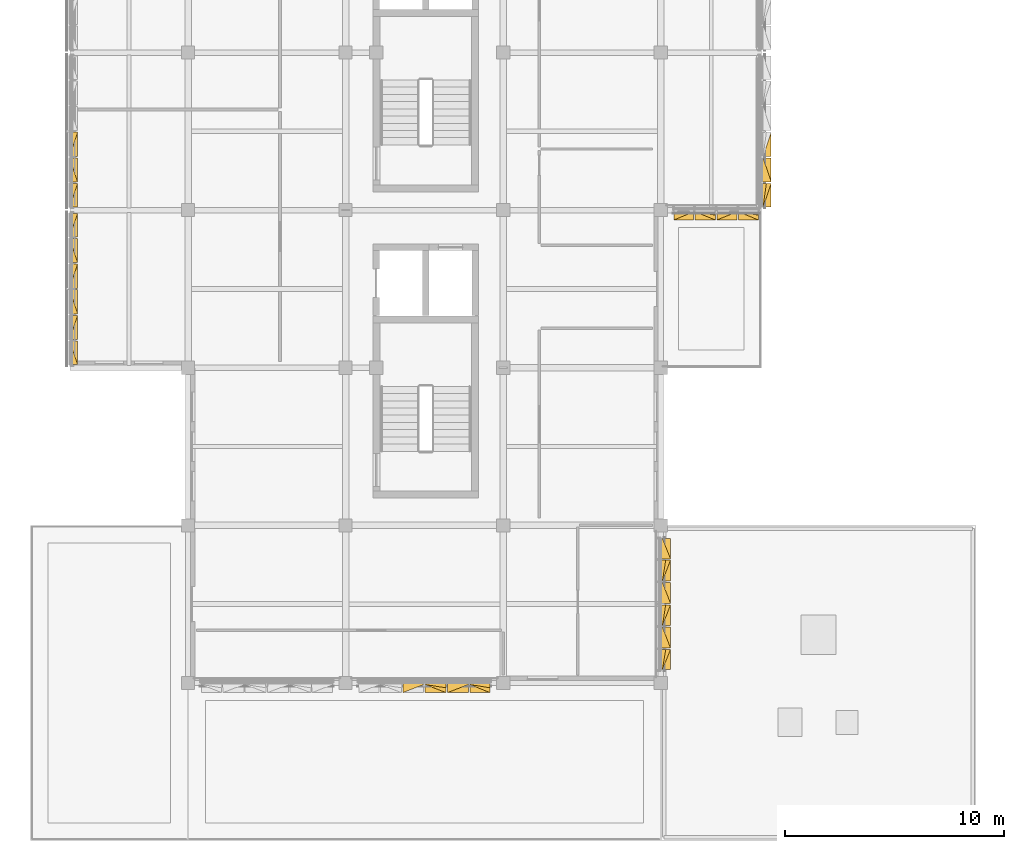
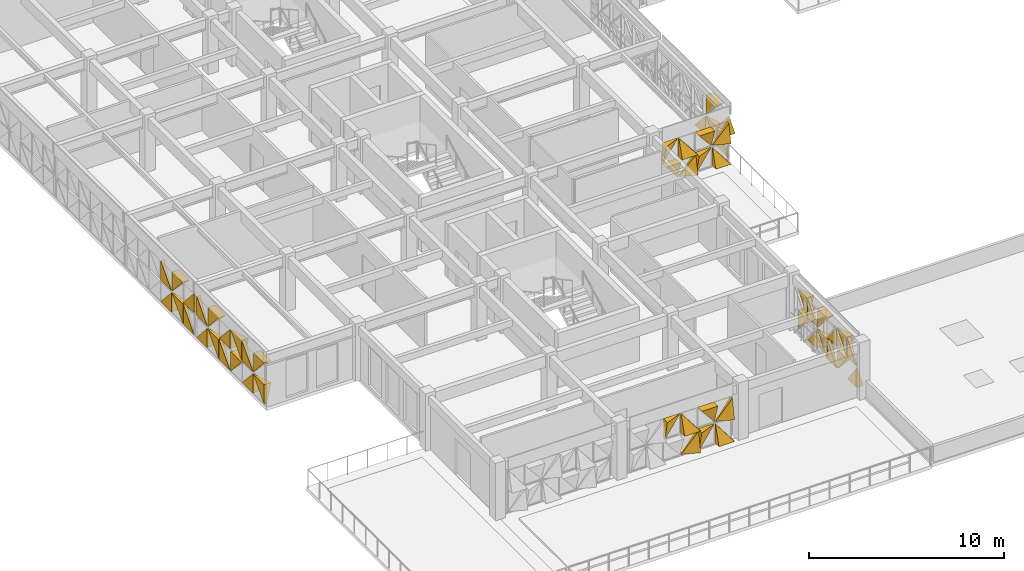
# One storey, part 65 of 74: 50 coverings.
"""IFC4 building model written with IfcOpenShell, lengths in metres."""

from ifc_helpers import new_model, si_unit, direction, frame, origin, place, context, subcontext, project, spatial, polygons, material, layer, layer_set, type_object, element, save


model = new_model("IFC4")

# Units and contexts
model_context = context("Model", 3, precision=1e-05, world=origin(), true_north=direction((0.0, 1.0)))
body_context = subcontext(model_context, "Body", "Model", "MODEL_VIEW")
ifc_project = project(units=[si_unit("LENGTHUNIT", "METRE"), si_unit("AREAUNIT", "SQUARE_METRE"), si_unit("VOLUMEUNIT", "CUBIC_METRE"), si_unit("PLANEANGLEUNIT", "RADIAN"), si_unit("MASSUNIT", "GRAM", prefix="KILO")], contexts=[model_context])

# Site, building, storey
site_placement = place(None, origin())
site = spatial("IfcSite", under=ifc_project, at=site_placement, CompositionType="ELEMENT")
building_placement = place(site_placement, origin())
building = spatial("IfcBuilding", under=site, at=building_placement, Name="Alvorim Cloister Faculty of Sciences", CompositionType="ELEMENT")
storey_placement = place(building_placement, frame((0.0, 0.0, 15.75)))
storey = spatial("IfcBuildingStorey", under=building, at=storey_placement, Name="L04", CompositionType="ELEMENT", Elevation=15.75)

# Coverings
ifc_material = material(Name="Perforated Bronze Alloy Sheet", Category="metal")
ifc_layer = layer(ifc_material, 0.0380859375)
ifc_layer_set = layer_set([ifc_layer], Name="Perforated Bronze Alloy Sheet")
covering_type = type_object("IfcCoveringType", Name="COV-TRI-BRZ", PredefinedType="CLADDING", material=ifc_layer_set)
covering_1_placement = place(storey_placement, frame((1.7548828125, 21.7451171875, 0.139892578125), z_axis=(0.0, 0.0, 1.0), x_axis=(0.0, 1.0, 0.0)))
element("IfcCovering", 1, at=covering_1_placement, inside=storey, type_object=covering_type, Name="Diagonal Solid Metal Triangle TRI-TL", PredefinedType="CLADDING", context=body_context, shape_type="Tessellation", body=[
    polygons([(1.073927734375, 0.0260009765625, 1.218505859375), (0.0, 0.0260009765625, 1.218505859375), (0.0, 0.0260009765625, 0.002), (1.073927734375, -0.03, 1.218505859375), (0.0, -0.4, 1.218505859375), (0.0, -0.13999999999999999, 0.002)], [[[1, 3, 2]], [[4, 5, 6]], [[1, 2, 5, 4]], [[2, 3, 6, 5]], [[3, 1, 4, 6]]], closed=True),
])
covering_2_placement = place(storey_placement, frame((1.7548828125, 21.7451171875, 1.49853515625), z_axis=(0.0, 0.0, 1.0), x_axis=(0.0, 1.0, 0.0)))
element("IfcCovering", 2, at=covering_2_placement, inside=storey, type_object=covering_type, Name="Diagonal Solid Metal Triangle TRI-TR", PredefinedType="CLADDING", context=body_context, shape_type="Tessellation", body=[
    polygons([(1.075927734375, 0.0260009765625, 0.002), (1.075927734375, 0.0260009765625, 1.218505859375), (0.002, 0.0260009765625, 1.218505859375), (1.075927734375, -0.03, 0.002), (1.075927734375, -0.4, 1.218505859375), (0.002, -0.4, 1.218505859375)], [[[1, 3, 2]], [[4, 5, 6]], [[1, 2, 5, 4]], [[2, 3, 6, 5]], [[3, 1, 4, 6]]], closed=True),
])
covering_3_placement = place(storey_placement, frame((1.7548828125, 22.8857421875, 0.139892578125), z_axis=(0.0, 0.0, 1.0), x_axis=(0.0, 1.0, 0.0)))
element("IfcCovering", 3, at=covering_3_placement, inside=storey, type_object=covering_type, Name="Diagonal Solid Metal Triangle TRI-BL", PredefinedType="CLADDING", context=body_context, shape_type="Tessellation", body=[
    polygons([(0.0, 0.0260009765625, 0.0), (1.1063984375, 0.0260009765625, 0.0), (0.0, 0.0260009765625, 1.216505859375), (0.0, -0.4, 0.0), (1.1063984375, -0.4, 0.0), (0.0, -0.03, 1.216505859375)], [[[1, 3, 2]], [[4, 5, 6]], [[1, 2, 5, 4]], [[2, 3, 6, 5]], [[3, 1, 4, 6]]], closed=True),
])
covering_4_placement = place(storey_placement, frame((1.7548828125, 22.8857421875, 1.49853515625), z_axis=(0.0, 0.0, 1.0), x_axis=(0.0, 1.0, 0.0)))
element("IfcCovering", 4, at=covering_4_placement, inside=storey, type_object=covering_type, Name="Diagonal Solid Metal Triangle TRI-BR", PredefinedType="CLADDING", context=body_context, shape_type="Tessellation", body=[
    polygons([(0.002, 0.0260009765625, 0.0), (1.1083984375, 0.0260009765625, 0.0), (1.1083984375, 0.0260009765625, 1.216505859375), (0.002, -0.03, 0.0), (1.1083984375, -0.4, 0.0), (1.1083984375, -0.18000000000000002, 1.216505859375)], [[[1, 3, 2]], [[4, 5, 6]], [[1, 2, 5, 4]], [[2, 3, 6, 5]], [[3, 1, 4, 6]]], closed=True),
])
covering_5_placement = place(storey_placement, frame((1.7548828125, 24.05908203125, 0.139892578125), z_axis=(0.0, 0.0, 1.0), x_axis=(0.0, 1.0, 0.0)))
element("IfcCovering", 5, at=covering_5_placement, inside=storey, type_object=covering_type, Name="Diagonal Solid Metal Triangle TRI-TR", PredefinedType="CLADDING", context=body_context, shape_type="Tessellation", body=[
    polygons([(1.1083984375, 0.0260009765625, 0.002), (1.1083984375, 0.0260009765625, 1.218505859375), (0.002, 0.0260009765625, 1.218505859375), (1.1083984375, -0.03, 0.002), (1.1083984375, -0.4, 1.218505859375), (0.002, -0.4, 1.218505859375)], [[[1, 3, 2]], [[4, 5, 6]], [[1, 2, 5, 4]], [[2, 3, 6, 5]], [[3, 1, 4, 6]]], closed=True),
])
covering_6_placement = place(storey_placement, frame((1.7548828125, 24.05908203125, 1.49853515625), z_axis=(0.0, 0.0, 1.0), x_axis=(0.0, 1.0, 0.0)))
element("IfcCovering", 6, at=covering_6_placement, inside=storey, type_object=covering_type, Name="Diagonal Solid Metal Triangle TRI-TL", PredefinedType="CLADDING", context=body_context, shape_type="Tessellation", body=[
    polygons([(1.1063984375, 0.0260009765625, 1.218505859375), (0.0, 0.0260009765625, 1.218505859375), (0.0, 0.0260009765625, 0.002), (1.1063984375, -0.03, 1.218505859375), (0.0, -0.4, 1.218505859375), (0.0, -0.13999999999999999, 0.002)], [[[1, 3, 2]], [[4, 5, 6]], [[1, 2, 5, 4]], [[2, 3, 6, 5]], [[3, 1, 4, 6]]], closed=True),
])
covering_7_placement = place(storey_placement, frame((1.7548828125, 25.232421875, 0.139892578125), z_axis=(0.0, 0.0, 1.0), x_axis=(0.0, 1.0, 0.0)))
element("IfcCovering", 7, at=covering_7_placement, inside=storey, type_object=covering_type, Name="Diagonal Solid Metal Triangle TRI-BR", PredefinedType="CLADDING", context=body_context, shape_type="Tessellation", body=[
    polygons([(0.002, 0.0260009765625, 0.0), (1.1083984375, 0.0260009765625, 0.0), (1.1083984375, 0.0260009765625, 1.216505859375), (0.002, -0.03, 0.0), (1.1083984375, -0.4, 0.0), (1.1083984375, -0.18000000000000002, 1.216505859375)], [[[1, 3, 2]], [[4, 5, 6]], [[1, 2, 5, 4]], [[2, 3, 6, 5]], [[3, 1, 4, 6]]], closed=True),
])
covering_8_placement = place(storey_placement, frame((1.7548828125, 25.232421875, 1.49853515625), z_axis=(0.0, 0.0, 1.0), x_axis=(0.0, 1.0, 0.0)))
element("IfcCovering", 8, at=covering_8_placement, inside=storey, type_object=covering_type, Name="Diagonal Solid Metal Triangle TRI-BL", PredefinedType="CLADDING", context=body_context, shape_type="Tessellation", body=[
    polygons([(0.0, 0.0260009765625, 0.0), (1.1063984375, 0.0260009765625, 0.0), (0.0, 0.0260009765625, 1.216505859375), (0.0, -0.4, 0.0), (1.1063984375, -0.4, 0.0), (0.0, -0.03, 1.216505859375)], [[[1, 3, 2]], [[4, 5, 6]], [[1, 2, 5, 4]], [[2, 3, 6, 5]], [[3, 1, 4, 6]]], closed=True),
])
covering_9_placement = place(storey_placement, frame((1.7548828125, 26.40576171875, 0.139892578125), z_axis=(0.0, 0.0, 1.0), x_axis=(0.0, 1.0, 0.0)))
element("IfcCovering", 9, at=covering_9_placement, inside=storey, type_object=covering_type, Name="Diagonal Solid Metal Triangle TRI-TL", PredefinedType="CLADDING", context=body_context, shape_type="Tessellation", body=[
    polygons([(1.1063984375, 0.0260009765625, 1.218505859375), (0.0, 0.0260009765625, 1.218505859375), (0.0, 0.0260009765625, 0.002), (1.1063984375, -0.03, 1.218505859375), (0.0, -0.4, 1.218505859375), (0.0, -0.13999999999999999, 0.002)], [[[1, 3, 2]], [[4, 5, 6]], [[1, 2, 5, 4]], [[2, 3, 6, 5]], [[3, 1, 4, 6]]], closed=True),
])
covering_10_placement = place(storey_placement, frame((1.7548828125, 26.40576171875, 1.49853515625), z_axis=(0.0, 0.0, 1.0), x_axis=(0.0, 1.0, 0.0)))
element("IfcCovering", 10, at=covering_10_placement, inside=storey, type_object=covering_type, Name="Diagonal Solid Metal Triangle TRI-TR", PredefinedType="CLADDING", context=body_context, shape_type="Tessellation", body=[
    polygons([(1.1083984375, 0.0260009765625, 0.002), (1.1083984375, 0.0260009765625, 1.218505859375), (0.002, 0.0260009765625, 1.218505859375), (1.1083984375, -0.03, 0.002), (1.1083984375, -0.4, 1.218505859375), (0.002, -0.4, 1.218505859375)], [[[1, 3, 2]], [[4, 5, 6]], [[1, 2, 5, 4]], [[2, 3, 6, 5]], [[3, 1, 4, 6]]], closed=True),
])
covering_11_placement = place(storey_placement, frame((1.7548828125, 27.5791015625, 0.139892578125), z_axis=(0.0, 0.0, 1.0), x_axis=(0.0, 1.0, 0.0)))
element("IfcCovering", 11, at=covering_11_placement, inside=storey, type_object=covering_type, Name="Diagonal Solid Metal Triangle TRI-BL", PredefinedType="CLADDING", context=body_context, shape_type="Tessellation", body=[
    polygons([(0.0, 0.0260009765625, 0.0), (1.073927734375, 0.0260009765625, 0.0), (0.0, 0.0260009765625, 1.216505859375), (0.0, -0.4, 0.0), (1.073927734375, -0.4, 0.0), (0.0, -0.03, 1.216505859375)], [[[1, 3, 2]], [[4, 5, 6]], [[1, 2, 5, 4]], [[2, 3, 6, 5]], [[3, 1, 4, 6]]], closed=True),
])
for number, where, z_axis, x_axis, name in (
    (12, (1.7548828125, 27.5791015625, 1.49853515625), (0.0, 0.0, 1.0), (0.0, 1.0, 0.0), "Diagonal Solid Metal Triangle TRI-BR"),
    (13, (1.7548828125, 28.945068359375, 0.139892578125), (0.0, 0.0, 1.0), (0.0, 1.0, 0.0), "Diagonal Solid Metal Triangle TRI-BR"),
):
    element("IfcCovering", number, at=place(storey_placement, frame(where, z_axis=z_axis, x_axis=x_axis)), inside=storey, type_object=covering_type, Name=name, PredefinedType="CLADDING", context=body_context, shape_type="Tessellation", body=[
        polygons([(0.002, 0.0260009765625, 0.0), (1.075927734375, 0.0260009765625, 0.0), (1.075927734375, 0.0260009765625, 1.216505859375), (0.002, -0.03, 0.0), (1.075927734375, -0.4, 0.0), (1.075927734375, -0.18000000000000002, 1.216505859375)], [[[1, 3, 2]], [[4, 5, 6]], [[1, 2, 5, 4]], [[2, 3, 6, 5]], [[3, 1, 4, 6]]], closed=True),
    ])
covering_12_placement = place(storey_placement, frame((1.7548828125, 28.945068359375, 1.49853515625), z_axis=(0.0, 0.0, 1.0), x_axis=(0.0, 1.0, 0.0)))
element("IfcCovering", 14, at=covering_12_placement, inside=storey, type_object=covering_type, Name="Diagonal Solid Metal Triangle TRI-BL", PredefinedType="CLADDING", context=body_context, shape_type="Tessellation", body=[
    polygons([(0.0, 0.0260009765625, 0.0), (1.073927734375, 0.0260009765625, 0.0), (0.0, 0.0260009765625, 1.216505859375), (0.0, -0.4, 0.0), (1.073927734375, -0.4, 0.0), (0.0, -0.03, 1.216505859375)], [[[1, 3, 2]], [[4, 5, 6]], [[1, 2, 5, 4]], [[2, 3, 6, 5]], [[3, 1, 4, 6]]], closed=True),
])
covering_13_placement = place(storey_placement, frame((1.7548828125, 30.0859375, 0.139892578125), z_axis=(0.0, 0.0, 1.0), x_axis=(0.0, 1.0, 0.0)))
element("IfcCovering", 15, at=covering_13_placement, inside=storey, type_object=covering_type, Name="Diagonal Solid Metal Triangle TRI-TL", PredefinedType="CLADDING", context=body_context, shape_type="Tessellation", body=[
    polygons([(1.1063984375, 0.0260009765625, 1.218505859375), (0.0, 0.0260009765625, 1.218505859375), (0.0, 0.0260009765625, 0.002), (1.1063984375, -0.03, 1.218505859375), (0.0, -0.4, 1.218505859375), (0.0, -0.13999999999999999, 0.002)], [[[1, 3, 2]], [[4, 5, 6]], [[1, 2, 5, 4]], [[2, 3, 6, 5]], [[3, 1, 4, 6]]], closed=True),
])
covering_14_placement = place(storey_placement, frame((1.7548828125, 30.0859375, 1.49853515625), z_axis=(0.0, 0.0, 1.0), x_axis=(0.0, 1.0, 0.0)))
element("IfcCovering", 16, at=covering_14_placement, inside=storey, type_object=covering_type, Name="Diagonal Solid Metal Triangle TRI-TR", PredefinedType="CLADDING", context=body_context, shape_type="Tessellation", body=[
    polygons([(1.1083984375, 0.0260009765625, 0.002), (1.1083984375, 0.0260009765625, 1.218505859375), (0.002, 0.0260009765625, 1.218505859375), (1.1083984375, -0.03, 0.002), (1.1083984375, -0.4, 1.218505859375), (0.002, -0.4, 1.218505859375)], [[[1, 3, 2]], [[4, 5, 6]], [[1, 2, 5, 4]], [[2, 3, 6, 5]], [[3, 1, 4, 6]]], closed=True),
])
covering_15_placement = place(storey_placement, frame((1.7548828125, 31.25927734375, 0.139892578125), z_axis=(0.0, 0.0, 1.0), x_axis=(0.0, 1.0, 0.0)))
element("IfcCovering", 17, at=covering_15_placement, inside=storey, type_object=covering_type, Name="Diagonal Solid Metal Triangle TRI-BL", PredefinedType="CLADDING", context=body_context, shape_type="Tessellation", body=[
    polygons([(0.0, 0.0260009765625, 0.0), (1.1063984375, 0.0260009765625, 0.0), (0.0, 0.0260009765625, 1.216505859375), (0.0, -0.4, 0.0), (1.1063984375, -0.4, 0.0), (0.0, -0.03, 1.216505859375)], [[[1, 3, 2]], [[4, 5, 6]], [[1, 2, 5, 4]], [[2, 3, 6, 5]], [[3, 1, 4, 6]]], closed=True),
])
covering_16_placement = place(storey_placement, frame((1.7548828125, 31.25927734375, 1.49853515625), z_axis=(0.0, 0.0, 1.0), x_axis=(0.0, 1.0, 0.0)))
element("IfcCovering", 18, at=covering_16_placement, inside=storey, type_object=covering_type, Name="Diagonal Solid Metal Triangle TRI-BR", PredefinedType="CLADDING", context=body_context, shape_type="Tessellation", body=[
    polygons([(0.002, 0.0260009765625, 0.0), (1.1083984375, 0.0260009765625, 0.0), (1.1083984375, 0.0260009765625, 1.216505859375), (0.002, -0.03, 0.0), (1.1083984375, -0.4, 0.0), (1.1083984375, -0.18000000000000002, 1.216505859375)], [[[1, 3, 2]], [[4, 5, 6]], [[1, 2, 5, 4]], [[2, 3, 6, 5]], [[3, 1, 4, 6]]], closed=True),
])
covering_17_placement = place(storey_placement, frame((33.445068359375, 28.945068359375, 0.139892578125), z_axis=(0.0, 0.0, 1.0), x_axis=(0.0, 1.0, 0.0)))
element("IfcCovering", 19, at=covering_17_placement, inside=storey, type_object=covering_type, Name="Diagonal Solid Metal Triangle TRI-BR", PredefinedType="CLADDING", context=body_context, shape_type="Tessellation", body=[
    polygons([(0.002, 0.0260009765625, 0.0), (1.075927734375, 0.0260009765625, 0.0), (1.075927734375, 0.0260009765625, 1.216505859375), (0.002, -0.03, 0.0), (1.075927734375, -0.4, 0.0), (1.075927734375, -0.18000000000000002, 1.216505859375)], [[[1, 3, 2]], [[4, 5, 6]], [[1, 2, 5, 4]], [[2, 3, 6, 5]], [[3, 1, 4, 6]]], closed=True),
])
covering_18_placement = place(storey_placement, frame((33.445068359375, 28.945068359375, 1.49853515625), z_axis=(0.0, 0.0, 1.0), x_axis=(0.0, 1.0, 0.0)))
element("IfcCovering", 20, at=covering_18_placement, inside=storey, type_object=covering_type, Name="Diagonal Solid Metal Triangle TRI-BL", PredefinedType="CLADDING", context=body_context, shape_type="Tessellation", body=[
    polygons([(0.0, 0.0260009765625, 0.0), (1.073927734375, 0.0260009765625, 0.0), (0.0, 0.0260009765625, 1.216505859375), (0.0, -0.4, 0.0), (1.073927734375, -0.4, 0.0), (0.0, -0.03, 1.216505859375)], [[[1, 3, 2]], [[4, 5, 6]], [[1, 2, 5, 4]], [[2, 3, 6, 5]], [[3, 1, 4, 6]]], closed=True),
])
covering_19_placement = place(storey_placement, frame((33.445068359375, 30.0859375, 0.139892578125), z_axis=(0.0, 0.0, 1.0), x_axis=(0.0, 1.0, 0.0)))
element("IfcCovering", 21, at=covering_19_placement, inside=storey, type_object=covering_type, Name="Diagonal Solid Metal Triangle TRI-TL", PredefinedType="CLADDING", context=body_context, shape_type="Tessellation", body=[
    polygons([(1.1063984375, 0.0260009765625, 1.218505859375), (0.0, 0.0260009765625, 1.218505859375), (0.0, 0.0260009765625, 0.002), (1.1063984375, -0.03, 1.218505859375), (0.0, -0.4, 1.218505859375), (0.0, -0.13999999999999999, 0.002)], [[[1, 3, 2]], [[4, 5, 6]], [[1, 2, 5, 4]], [[2, 3, 6, 5]], [[3, 1, 4, 6]]], closed=True),
])
covering_20_placement = place(storey_placement, frame((33.445068359375, 30.0859375, 1.49853515625), z_axis=(0.0, 0.0, 1.0), x_axis=(0.0, 1.0, 0.0)))
element("IfcCovering", 22, at=covering_20_placement, inside=storey, type_object=covering_type, Name="Diagonal Solid Metal Triangle TRI-TR", PredefinedType="CLADDING", context=body_context, shape_type="Tessellation", body=[
    polygons([(1.1083984375, 0.0260009765625, 0.002), (1.1083984375, 0.0260009765625, 1.218505859375), (0.002, 0.0260009765625, 1.218505859375), (1.1083984375, -0.03, 0.002), (1.1083984375, -0.4, 1.218505859375), (0.002, -0.4, 1.218505859375)], [[[1, 3, 2]], [[4, 5, 6]], [[1, 2, 5, 4]], [[2, 3, 6, 5]], [[3, 1, 4, 6]]], closed=True),
])
covering_21_placement = place(storey_placement, frame((33.445068359375, 31.25927734375, 0.139892578125), z_axis=(0.0, 0.0, 1.0), x_axis=(0.0, 1.0, 0.0)))
element("IfcCovering", 23, at=covering_21_placement, inside=storey, type_object=covering_type, Name="Diagonal Solid Metal Triangle TRI-BL", PredefinedType="CLADDING", context=body_context, shape_type="Tessellation", body=[
    polygons([(0.0, 0.0260009765625, 0.0), (1.1063984375, 0.0260009765625, 0.0), (0.0, 0.0260009765625, 1.216505859375), (0.0, -0.4, 0.0), (1.1063984375, -0.4, 0.0), (0.0, -0.03, 1.216505859375)], [[[1, 3, 2]], [[4, 5, 6]], [[1, 2, 5, 4]], [[2, 3, 6, 5]], [[3, 1, 4, 6]]], closed=True),
])
covering_22_placement = place(storey_placement, frame((29.405029296875, 28.7548828125, 0.139892578125), z_axis=(0.0, 0.0, 1.0), x_axis=(1.0, 0.0, 0.0)))
element("IfcCovering", 24, at=covering_22_placement, inside=storey, type_object=covering_type, Name="Diagonal Solid Metal Triangle TRI-TR", PredefinedType="CLADDING", context=body_context, shape_type="Tessellation", body=[
    polygons([(0.8974609375, 0.0260009765625, 0.002), (0.8974609375, 0.0260009765625, 1.14306640625), (0.002, 0.0260009765625, 1.14306640625), (0.8974609375, -0.03, 0.002), (0.8974609375, -0.4, 1.14306640625), (0.002, -0.4, 1.14306640625)], [[[1, 3, 2]], [[4, 5, 6]], [[1, 2, 5, 4]], [[2, 3, 6, 5]], [[3, 1, 4, 6]]], closed=True),
])
covering_23_placement = place(storey_placement, frame((29.405029296875, 28.7548828125, 1.423095703125), z_axis=(0.0, 0.0, 1.0), x_axis=(1.0, 0.0, 0.0)))
element("IfcCovering", 25, at=covering_23_placement, inside=storey, type_object=covering_type, Name="Diagonal Solid Metal Triangle TRI-TL", PredefinedType="CLADDING", context=body_context, shape_type="Tessellation", body=[
    polygons([(0.8954609375, 0.0260009765625, 1.142822265625), (0.0, 0.0260009765625, 1.142822265625), (0.0, 0.0260009765625, 0.002), (0.8954609375, -0.03, 1.142822265625), (0.0, -0.4, 1.142822265625), (0.0, -0.13999999999999999, 0.002)], [[[1, 3, 2]], [[4, 5, 6]], [[1, 2, 5, 4]], [[2, 3, 6, 5]], [[3, 1, 4, 6]]], closed=True),
])
covering_24_placement = place(storey_placement, frame((30.367431640625, 28.7548828125, 0.139892578125), z_axis=(0.0, 0.0, 1.0), x_axis=(1.0, 0.0, 0.0)))
element("IfcCovering", 26, at=covering_24_placement, inside=storey, type_object=covering_type, Name="Diagonal Solid Metal Triangle TRI-BR", PredefinedType="CLADDING", context=body_context, shape_type="Tessellation", body=[
    polygons([(0.002, 0.0260009765625, 0.0), (0.929931640625, 0.0260009765625, 0.0), (0.929931640625, 0.0260009765625, 1.14106640625), (0.002, -0.03, 0.0), (0.929931640625, -0.4, 0.0), (0.929931640625, -0.18000000000000002, 1.14106640625)], [[[1, 3, 2]], [[4, 5, 6]], [[1, 2, 5, 4]], [[2, 3, 6, 5]], [[3, 1, 4, 6]]], closed=True),
])
covering_25_placement = place(storey_placement, frame((30.367431640625, 28.7548828125, 1.423095703125), z_axis=(0.0, 0.0, 1.0), x_axis=(1.0, 0.0, 0.0)))
element("IfcCovering", 27, at=covering_25_placement, inside=storey, type_object=covering_type, Name="Diagonal Solid Metal Triangle TRI-BL", PredefinedType="CLADDING", context=body_context, shape_type="Tessellation", body=[
    polygons([(0.0, 0.0260009765625, 0.0), (0.927931640625, 0.0260009765625, 0.0), (0.0, 0.0260009765625, 1.140822265625), (0.0, -0.4, 0.0), (0.927931640625, -0.4, 0.0), (0.0, -0.03, 1.140822265625)], [[[1, 3, 2]], [[4, 5, 6]], [[1, 2, 5, 4]], [[2, 3, 6, 5]], [[3, 1, 4, 6]]], closed=True),
])
covering_26_placement = place(storey_placement, frame((31.362548828125, 28.7548828125, 0.139892578125), z_axis=(0.0, 0.0, 1.0), x_axis=(1.0, 0.0, 0.0)))
element("IfcCovering", 28, at=covering_26_placement, inside=storey, type_object=covering_type, Name="Diagonal Solid Metal Triangle TRI-TL", PredefinedType="CLADDING", context=body_context, shape_type="Tessellation", body=[
    polygons([(0.927931640625, 0.0260009765625, 1.14306640625), (0.0, 0.0260009765625, 1.14306640625), (0.0, 0.0260009765625, 0.002), (0.927931640625, -0.03, 1.14306640625), (0.0, -0.4, 1.14306640625), (0.0, -0.13999999999999999, 0.002)], [[[1, 3, 2]], [[4, 5, 6]], [[1, 2, 5, 4]], [[2, 3, 6, 5]], [[3, 1, 4, 6]]], closed=True),
])
covering_27_placement = place(storey_placement, frame((31.362548828125, 28.7548828125, 1.423095703125), z_axis=(0.0, 0.0, 1.0), x_axis=(1.0, 0.0, 0.0)))
element("IfcCovering", 29, at=covering_27_placement, inside=storey, type_object=covering_type, Name="Diagonal Solid Metal Triangle TRI-TR", PredefinedType="CLADDING", context=body_context, shape_type="Tessellation", body=[
    polygons([(0.929931640625, 0.0260009765625, 0.002), (0.929931640625, 0.0260009765625, 1.142822265625), (0.002, 0.0260009765625, 1.142822265625), (0.929931640625, -0.03, 0.002), (0.929931640625, -0.4, 1.142822265625), (0.002, -0.4, 1.142822265625)], [[[1, 3, 2]], [[4, 5, 6]], [[1, 2, 5, 4]], [[2, 3, 6, 5]], [[3, 1, 4, 6]]], closed=True),
])
covering_28_placement = place(storey_placement, frame((32.357421875, 28.7548828125, 0.139892578125), z_axis=(0.0, 0.0, 1.0), x_axis=(1.0, 0.0, 0.0)))
element("IfcCovering", 30, at=covering_28_placement, inside=storey, type_object=covering_type, Name="Diagonal Solid Metal Triangle TRI-BL", PredefinedType="CLADDING", context=body_context, shape_type="Tessellation", body=[
    polygons([(0.0, 0.0260009765625, 0.0), (0.8954609375, 0.0260009765625, 0.0), (0.0, 0.0260009765625, 1.14106640625), (0.0, -0.4, 0.0), (0.8954609375, -0.4, 0.0), (0.0, -0.03, 1.14106640625)], [[[1, 3, 2]], [[4, 5, 6]], [[1, 2, 5, 4]], [[2, 3, 6, 5]], [[3, 1, 4, 6]]], closed=True),
])
covering_29_placement = place(storey_placement, frame((32.357421875, 28.7548828125, 1.423095703125), z_axis=(0.0, 0.0, 1.0), x_axis=(1.0, 0.0, 0.0)))
element("IfcCovering", 31, at=covering_29_placement, inside=storey, type_object=covering_type, Name="Diagonal Solid Metal Triangle TRI-BR", PredefinedType="CLADDING", context=body_context, shape_type="Tessellation", body=[
    polygons([(0.002, 0.0260009765625, 0.0), (0.8974609375, 0.0260009765625, 0.0), (0.8974609375, 0.0260009765625, 1.140822265625), (0.002, -0.03, 0.0), (0.8974609375, -0.4, 0.0), (0.8974609375, -0.18000000000000002, 1.140822265625)], [[[1, 3, 2]], [[4, 5, 6]], [[1, 2, 5, 4]], [[2, 3, 6, 5]], [[3, 1, 4, 6]]], closed=True),
])
covering_30_placement = place(storey_placement, frame((28.844970703125, 7.804931640625, 0.139892578125), z_axis=(0.0, 0.0, 1.0), x_axis=(0.0, 1.0, 0.0)))
element("IfcCovering", 32, at=covering_30_placement, inside=storey, type_object=covering_type, Name="Diagonal Solid Metal Triangle TRI-BL", PredefinedType="CLADDING", context=body_context, shape_type="Tessellation", body=[
    polygons([(0.0, 0.0260009765625, 0.0), (0.920607421875, 0.0260009765625, 0.0), (0.0, 0.0260009765625, 1.213087890625), (0.0, -0.4, 0.0), (0.920607421875, -0.4, 0.0), (0.0, -0.03, 1.213087890625)], [[[1, 3, 2]], [[4, 5, 6]], [[1, 2, 5, 4]], [[2, 3, 6, 5]], [[3, 1, 4, 6]]], closed=True),
])
covering_31_placement = place(storey_placement, frame((28.844970703125, 7.804931640625, 1.4951171875), z_axis=(0.0, 0.0, 1.0), x_axis=(0.0, 1.0, 0.0)))
element("IfcCovering", 33, at=covering_31_placement, inside=storey, type_object=covering_type, Name="Diagonal Solid Metal Triangle TRI-BR", PredefinedType="CLADDING", context=body_context, shape_type="Tessellation", body=[
    polygons([(0.002, 0.0260009765625, 0.0), (0.922607421875, 0.0260009765625, 0.0), (0.922607421875, 0.0260009765625, 1.21284375), (0.002, -0.03, 0.0), (0.922607421875, -0.4, 0.0), (0.922607421875, -0.18000000000000002, 1.21284375)], [[[1, 3, 2]], [[4, 5, 6]], [[1, 2, 5, 4]], [[2, 3, 6, 5]], [[3, 1, 4, 6]]], closed=True),
])
covering_32_placement = place(storey_placement, frame((28.844970703125, 8.79248046875, 0.139892578125), z_axis=(0.0, 0.0, 1.0), x_axis=(0.0, 1.0, 0.0)))
element("IfcCovering", 34, at=covering_32_placement, inside=storey, type_object=covering_type, Name="Diagonal Solid Metal Triangle TRI-TR", PredefinedType="CLADDING", context=body_context, shape_type="Tessellation", body=[
    polygons([(0.955078125, 0.0260009765625, 0.002), (0.955078125, 0.0260009765625, 1.215087890625), (0.002, 0.0260009765625, 1.215087890625), (0.955078125, -0.03, 0.002), (0.955078125, -0.4, 1.215087890625), (0.002, -0.4, 1.215087890625)], [[[1, 3, 2]], [[4, 5, 6]], [[1, 2, 5, 4]], [[2, 3, 6, 5]], [[3, 1, 4, 6]]], closed=True),
])
covering_33_placement = place(storey_placement, frame((28.844970703125, 8.79248046875, 1.4951171875), z_axis=(0.0, 0.0, 1.0), x_axis=(0.0, 1.0, 0.0)))
element("IfcCovering", 35, at=covering_33_placement, inside=storey, type_object=covering_type, Name="Diagonal Solid Metal Triangle TRI-TL", PredefinedType="CLADDING", context=body_context, shape_type="Tessellation", body=[
    polygons([(0.953078125, 0.0260009765625, 1.21484375), (0.0, 0.0260009765625, 1.21484375), (0.0, 0.0260009765625, 0.002), (0.953078125, -0.03, 1.21484375), (0.0, -0.4, 1.21484375), (0.0, -0.13999999999999999, 0.002)], [[[1, 3, 2]], [[4, 5, 6]], [[1, 2, 5, 4]], [[2, 3, 6, 5]], [[3, 1, 4, 6]]], closed=True),
])
covering_34_placement = place(storey_placement, frame((28.844970703125, 9.8125, 0.139892578125), z_axis=(0.0, 0.0, 1.0), x_axis=(0.0, 1.0, 0.0)))
element("IfcCovering", 36, at=covering_34_placement, inside=storey, type_object=covering_type, Name="Diagonal Solid Metal Triangle TRI-BR", PredefinedType="CLADDING", context=body_context, shape_type="Tessellation", body=[
    polygons([(0.002, 0.0260009765625, 0.0), (0.955078125, 0.0260009765625, 0.0), (0.955078125, 0.0260009765625, 1.213087890625), (0.002, -0.03, 0.0), (0.955078125, -0.4, 0.0), (0.955078125, -0.18000000000000002, 1.213087890625)], [[[1, 3, 2]], [[4, 5, 6]], [[1, 2, 5, 4]], [[2, 3, 6, 5]], [[3, 1, 4, 6]]], closed=True),
])
covering_35_placement = place(storey_placement, frame((28.844970703125, 9.8125, 1.4951171875), z_axis=(0.0, 0.0, 1.0), x_axis=(0.0, 1.0, 0.0)))
element("IfcCovering", 37, at=covering_35_placement, inside=storey, type_object=covering_type, Name="Diagonal Solid Metal Triangle TRI-BL", PredefinedType="CLADDING", context=body_context, shape_type="Tessellation", body=[
    polygons([(0.0, 0.0260009765625, 0.0), (0.953078125, 0.0260009765625, 0.0), (0.0, 0.0260009765625, 1.21284375), (0.0, -0.4, 0.0), (0.953078125, -0.4, 0.0), (0.0, -0.03, 1.21284375)], [[[1, 3, 2]], [[4, 5, 6]], [[1, 2, 5, 4]], [[2, 3, 6, 5]], [[3, 1, 4, 6]]], closed=True),
])
covering_36_placement = place(storey_placement, frame((28.844970703125, 10.83251953125, 0.139892578125), z_axis=(0.0, 0.0, 1.0), x_axis=(0.0, 1.0, 0.0)))
element("IfcCovering", 38, at=covering_36_placement, inside=storey, type_object=covering_type, Name="Diagonal Solid Metal Triangle TRI-TL", PredefinedType="CLADDING", context=body_context, shape_type="Tessellation", body=[
    polygons([(0.953078125, 0.0260009765625, 1.215087890625), (0.0, 0.0260009765625, 1.215087890625), (0.0, 0.0260009765625, 0.002), (0.953078125, -0.03, 1.215087890625), (0.0, -0.4, 1.215087890625), (0.0, -0.13999999999999999, 0.002)], [[[1, 3, 2]], [[4, 5, 6]], [[1, 2, 5, 4]], [[2, 3, 6, 5]], [[3, 1, 4, 6]]], closed=True),
])
covering_37_placement = place(storey_placement, frame((28.844970703125, 10.83251953125, 1.4951171875), z_axis=(0.0, 0.0, 1.0), x_axis=(0.0, 1.0, 0.0)))
element("IfcCovering", 39, at=covering_37_placement, inside=storey, type_object=covering_type, Name="Diagonal Solid Metal Triangle TRI-TR", PredefinedType="CLADDING", context=body_context, shape_type="Tessellation", body=[
    polygons([(0.955078125, 0.0260009765625, 0.002), (0.955078125, 0.0260009765625, 1.21484375), (0.002, 0.0260009765625, 1.21484375), (0.955078125, -0.03, 0.002), (0.955078125, -0.4, 1.21484375), (0.002, -0.4, 1.21484375)], [[[1, 3, 2]], [[4, 5, 6]], [[1, 2, 5, 4]], [[2, 3, 6, 5]], [[3, 1, 4, 6]]], closed=True),
])
covering_38_placement = place(storey_placement, frame((28.844970703125, 11.8525390625, 0.139892578125), z_axis=(0.0, 0.0, 1.0), x_axis=(0.0, 1.0, 0.0)))
element("IfcCovering", 40, at=covering_38_placement, inside=storey, type_object=covering_type, Name="Diagonal Solid Metal Triangle TRI-BL", PredefinedType="CLADDING", context=body_context, shape_type="Tessellation", body=[
    polygons([(0.0, 0.0260009765625, 0.0), (0.953078125, 0.0260009765625, 0.0), (0.0, 0.0260009765625, 1.213087890625), (0.0, -0.4, 0.0), (0.953078125, -0.4, 0.0), (0.0, -0.03, 1.213087890625)], [[[1, 3, 2]], [[4, 5, 6]], [[1, 2, 5, 4]], [[2, 3, 6, 5]], [[3, 1, 4, 6]]], closed=True),
])
covering_39_placement = place(storey_placement, frame((28.844970703125, 11.8525390625, 1.4951171875), z_axis=(0.0, 0.0, 1.0), x_axis=(0.0, 1.0, 0.0)))
element("IfcCovering", 41, at=covering_39_placement, inside=storey, type_object=covering_type, Name="Diagonal Solid Metal Triangle TRI-BR", PredefinedType="CLADDING", context=body_context, shape_type="Tessellation", body=[
    polygons([(0.002, 0.0260009765625, 0.0), (0.955078125, 0.0260009765625, 0.0), (0.955078125, 0.0260009765625, 1.21284375), (0.002, -0.03, 0.0), (0.955078125, -0.4, 0.0), (0.955078125, -0.18000000000000002, 1.21284375)], [[[1, 3, 2]], [[4, 5, 6]], [[1, 2, 5, 4]], [[2, 3, 6, 5]], [[3, 1, 4, 6]]], closed=True),
])
covering_40_placement = place(storey_placement, frame((28.844970703125, 12.87255859375, 0.139892578125), z_axis=(0.0, 0.0, 1.0), x_axis=(0.0, 1.0, 0.0)))
element("IfcCovering", 42, at=covering_40_placement, inside=storey, type_object=covering_type, Name="Diagonal Solid Metal Triangle TRI-TR", PredefinedType="CLADDING", context=body_context, shape_type="Tessellation", body=[
    polygons([(0.922607421875, 0.0260009765625, 0.002), (0.922607421875, 0.0260009765625, 1.215087890625), (0.002, 0.0260009765625, 1.215087890625), (0.922607421875, -0.03, 0.002), (0.922607421875, -0.4, 1.215087890625), (0.002, -0.4, 1.215087890625)], [[[1, 3, 2]], [[4, 5, 6]], [[1, 2, 5, 4]], [[2, 3, 6, 5]], [[3, 1, 4, 6]]], closed=True),
])
covering_41_placement = place(storey_placement, frame((28.844970703125, 12.87255859375, 1.4951171875), z_axis=(0.0, 0.0, 1.0), x_axis=(0.0, 1.0, 0.0)))
element("IfcCovering", 43, at=covering_41_placement, inside=storey, type_object=covering_type, Name="Diagonal Solid Metal Triangle TRI-TL", PredefinedType="CLADDING", context=body_context, shape_type="Tessellation", body=[
    polygons([(0.920607421875, 0.0260009765625, 1.21484375), (0.0, 0.0260009765625, 1.21484375), (0.0, 0.0260009765625, 0.002), (0.920607421875, -0.03, 1.21484375), (0.0, -0.4, 1.21484375), (0.0, -0.13999999999999999, 0.002)], [[[1, 3, 2]], [[4, 5, 6]], [[1, 2, 5, 4]], [[2, 3, 6, 5]], [[3, 1, 4, 6]]], closed=True),
])
covering_42_placement = place(storey_placement, frame((17.012451171875, 7.155029296875, 1.4951171875), z_axis=(0.0, 0.0, 1.0), x_axis=(1.0, 0.0, 0.0)))
element("IfcCovering", 44, at=covering_42_placement, inside=storey, type_object=covering_type, Name="Diagonal Solid Metal Triangle TRI-TL", PredefinedType="CLADDING", context=body_context, shape_type="Tessellation", body=[
    polygons([(0.953078125, 0.0260009765625, 1.21484375), (0.0, 0.0260009765625, 1.21484375), (0.0, 0.0260009765625, 0.002), (0.953078125, -0.03, 1.21484375), (0.0, -0.4, 1.21484375), (0.0, -0.13999999999999999, 0.002)], [[[1, 3, 2]], [[4, 5, 6]], [[1, 2, 5, 4]], [[2, 3, 6, 5]], [[3, 1, 4, 6]]], closed=True),
])
covering_43_placement = place(storey_placement, frame((18.032470703125, 7.155029296875, 0.139892578125), z_axis=(0.0, 0.0, 1.0), x_axis=(1.0, 0.0, 0.0)))
element("IfcCovering", 45, at=covering_43_placement, inside=storey, type_object=covering_type, Name="Diagonal Solid Metal Triangle TRI-BR", PredefinedType="CLADDING", context=body_context, shape_type="Tessellation", body=[
    polygons([(0.002, 0.0260009765625, 0.0), (0.955078125, 0.0260009765625, 0.0), (0.955078125, 0.0260009765625, 1.213087890625), (0.002, -0.03, 0.0), (0.955078125, -0.4, 0.0), (0.955078125, -0.18000000000000002, 1.213087890625)], [[[1, 3, 2]], [[4, 5, 6]], [[1, 2, 5, 4]], [[2, 3, 6, 5]], [[3, 1, 4, 6]]], closed=True),
])
covering_44_placement = place(storey_placement, frame((18.032470703125, 7.155029296875, 1.4951171875), z_axis=(0.0, 0.0, 1.0), x_axis=(1.0, 0.0, 0.0)))
element("IfcCovering", 46, at=covering_44_placement, inside=storey, type_object=covering_type, Name="Diagonal Solid Metal Triangle TRI-BL", PredefinedType="CLADDING", context=body_context, shape_type="Tessellation", body=[
    polygons([(0.0, 0.0260009765625, 0.0), (0.953078125, 0.0260009765625, 0.0), (0.0, 0.0260009765625, 1.21284375), (0.0, -0.4, 0.0), (0.953078125, -0.4, 0.0), (0.0, -0.03, 1.21284375)], [[[1, 3, 2]], [[4, 5, 6]], [[1, 2, 5, 4]], [[2, 3, 6, 5]], [[3, 1, 4, 6]]], closed=True),
])
covering_45_placement = place(storey_placement, frame((19.052490234375, 7.155029296875, 0.139892578125), z_axis=(0.0, 0.0, 1.0), x_axis=(1.0, 0.0, 0.0)))
element("IfcCovering", 47, at=covering_45_placement, inside=storey, type_object=covering_type, Name="Diagonal Solid Metal Triangle TRI-TL", PredefinedType="CLADDING", context=body_context, shape_type="Tessellation", body=[
    polygons([(0.953078125, 0.0260009765625, 1.215087890625), (0.0, 0.0260009765625, 1.215087890625), (0.0, 0.0260009765625, 0.002), (0.953078125, -0.03, 1.215087890625), (0.0, -0.4, 1.215087890625), (0.0, -0.13999999999999999, 0.002)], [[[1, 3, 2]], [[4, 5, 6]], [[1, 2, 5, 4]], [[2, 3, 6, 5]], [[3, 1, 4, 6]]], closed=True),
])
covering_46_placement = place(storey_placement, frame((19.052490234375, 7.155029296875, 1.4951171875), z_axis=(0.0, 0.0, 1.0), x_axis=(1.0, 0.0, 0.0)))
element("IfcCovering", 48, at=covering_46_placement, inside=storey, type_object=covering_type, Name="Diagonal Solid Metal Triangle TRI-TR", PredefinedType="CLADDING", context=body_context, shape_type="Tessellation", body=[
    polygons([(0.955078125, 0.0260009765625, 0.002), (0.955078125, 0.0260009765625, 1.21484375), (0.002, 0.0260009765625, 1.21484375), (0.955078125, -0.03, 0.002), (0.955078125, -0.4, 1.21484375), (0.002, -0.4, 1.21484375)], [[[1, 3, 2]], [[4, 5, 6]], [[1, 2, 5, 4]], [[2, 3, 6, 5]], [[3, 1, 4, 6]]], closed=True),
])
covering_47_placement = place(storey_placement, frame((20.072509765625, 7.155029296875, 0.139892578125), z_axis=(0.0, 0.0, 1.0), x_axis=(1.0, 0.0, 0.0)))
element("IfcCovering", 49, at=covering_47_placement, inside=storey, type_object=covering_type, Name="Diagonal Solid Metal Triangle TRI-BL", PredefinedType="CLADDING", context=body_context, shape_type="Tessellation", body=[
    polygons([(0.0, 0.0260009765625, 0.0), (0.920607421875, 0.0260009765625, 0.0), (0.0, 0.0260009765625, 1.213087890625), (0.0, -0.4, 0.0), (0.920607421875, -0.4, 0.0), (0.0, -0.03, 1.213087890625)], [[[1, 3, 2]], [[4, 5, 6]], [[1, 2, 5, 4]], [[2, 3, 6, 5]], [[3, 1, 4, 6]]], closed=True),
])
covering_48_placement = place(storey_placement, frame((20.072509765625, 7.155029296875, 1.4951171875), z_axis=(0.0, 0.0, 1.0), x_axis=(1.0, 0.0, 0.0)))
element("IfcCovering", 50, at=covering_48_placement, inside=storey, type_object=covering_type, Name="Diagonal Solid Metal Triangle TRI-BR", PredefinedType="CLADDING", context=body_context, shape_type="Tessellation", body=[
    polygons([(0.002, 0.0260009765625, 0.0), (0.922607421875, 0.0260009765625, 0.0), (0.922607421875, 0.0260009765625, 1.21284375), (0.002, -0.03, 0.0), (0.922607421875, -0.4, 0.0), (0.922607421875, -0.18000000000000002, 1.21284375)], [[[1, 3, 2]], [[4, 5, 6]], [[1, 2, 5, 4]], [[2, 3, 6, 5]], [[3, 1, 4, 6]]], closed=True),
])

save(model, "model.ifc")
